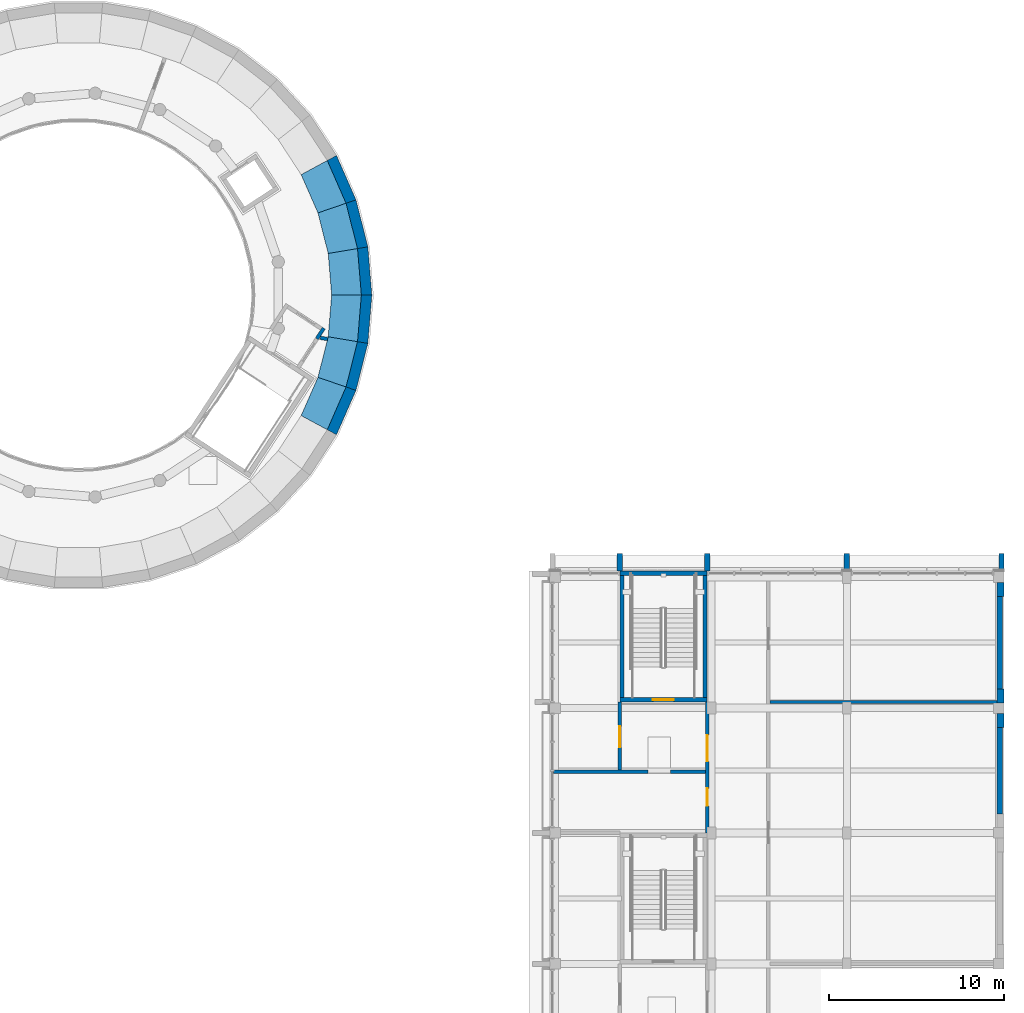
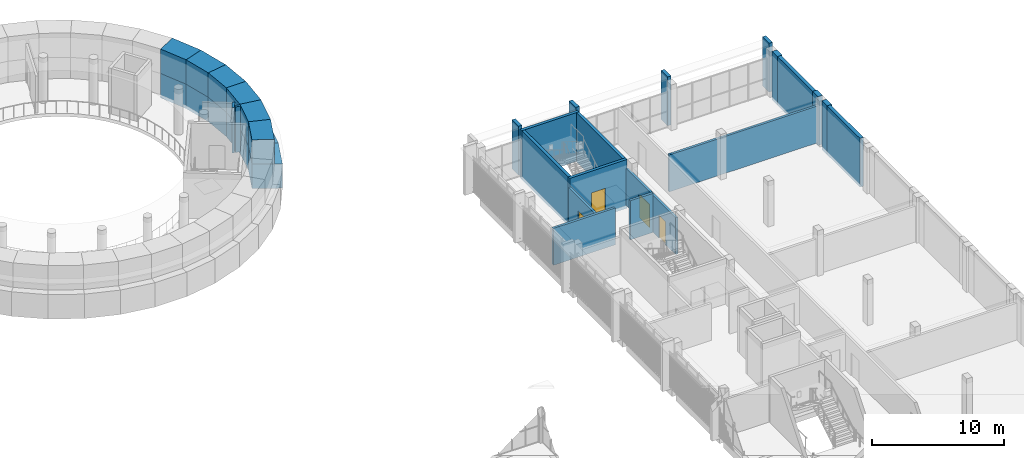
# One storey, part 54 of 92: 32 walls, 4 doors, 4 openings.
"""IFC4 building model written with IfcOpenShell, lengths in metres."""

from ifc_helpers import new_model, si_unit, direction, frame, frame_2d, origin, place, context, subcontext, project, spatial, polyline, rectangle, outline, extrude, material, layer, layer_set, type_object, element, fill, save


model = new_model("IFC4")

# Units and contexts
model_context = context("Model", 3, precision=1e-05, world=origin(), true_north=direction((0.0, 1.0)))
body_context = subcontext(model_context, "Body", "Model", "MODEL_VIEW")
ifc_project = project(units=[si_unit("LENGTHUNIT", "METRE"), si_unit("AREAUNIT", "SQUARE_METRE"), si_unit("VOLUMEUNIT", "CUBIC_METRE"), si_unit("PLANEANGLEUNIT", "RADIAN"), si_unit("MASSUNIT", "GRAM", prefix="KILO")], contexts=[model_context])

# Site, building, storey
site_placement = place(None, origin())
site = spatial("IfcSite", under=ifc_project, at=site_placement, CompositionType="ELEMENT")
building_placement = place(site_placement, origin())
building = spatial("IfcBuilding", under=site, at=building_placement, Name="Sun Court Science Centre", CompositionType="ELEMENT")
storey_placement = place(building_placement, frame((0.0, 0.0, 11.25)))
storey = spatial("IfcBuildingStorey", under=building, at=storey_placement, Name="L02", CompositionType="ELEMENT", Elevation=11.25)

# Walls
ifc_material_1 = material(Name="Concrete C30/37", Category="concrete")
ifc_layer_1 = layer(ifc_material_1, 0.300048828125)
ifc_layer_set_1 = layer_set([ifc_layer_1], Name="Concrete C30/37")
wall_type_1 = type_object("IfcWallType", Name="Facade fin RC 300", PredefinedType="SOLIDWALL", material=ifc_layer_set_1)
for number, where, z_axis, x_axis, name in (
    (1, (82.0, 81.0, 0.0), (0.0, 0.0, 1.0), (0.0, 1.0, 0.0), "Facade fin north 02 L02"),
    (2, (87.0, 81.0, 0.0), (0.0, 0.0, 1.0), (0.0, 1.0, 0.0), "Facade fin north 03 L02"),
    (3, (95.0, 81.0, 0.0), (0.0, 0.0, 1.0), (0.0, 1.0, 0.0), "Facade fin north 04 L02"),
    (4, (103.85009765625, 81.0, 0.0), (0.0, 0.0, 1.0), (0.0, 1.0, 0.0), "Facade fin north 05 L02"),
):
    element("IfcWall", number, at=place(storey_placement, frame(where, z_axis=z_axis, x_axis=x_axis)), inside=storey, type_object=wall_type_1, Name=name, PredefinedType="SOLIDWALL", context=body_context, shape_type="SweptSolid", body=[
        extrude(rectangle(XDim=1.0, YDim=0.300048828125, at=frame_2d((0.5, 0.0))), origin(), (0.0, 0.0, 1.0), 4.5),
    ])
ifc_material_2 = material(Name="Gypsum board")
ifc_layer_2 = layer(ifc_material_2, 0.199951171875)
ifc_layer_set_2 = layer_set([ifc_layer_2], Name="Gypsum board")
wall_type_2 = type_object("IfcWallType", Name="Partition 200 acoustic double stud", PredefinedType="PARTITIONING", material=ifc_layer_set_2)
wall_1_placement = place(storey_placement, frame((90.60009765625, 73.5, 0.0), z_axis=(0.0, 0.0, 1.0), x_axis=(1.0, 0.0, 0.0)))
element("IfcWall", 5, at=wall_1_placement, inside=storey, type_object=wall_type_2, Name="L02 partition 016", PredefinedType="PARTITIONING", context=body_context, shape_type="SweptSolid", body=[
    extrude(rectangle(XDim=12.997802734375, YDim=0.199951171875, at=frame_2d((6.4990234375, 0.0))), origin(), (0.0, 0.0, 1.0), 3.39990234375),
])
ifc_material_3 = material(Name="Concrete block", Category="concrete")
ifc_layer_3 = layer(ifc_material_3, 0.199951171875)
ifc_layer_set_3 = layer_set([ifc_layer_3], Name="Concrete block")
wall_type_3 = type_object("IfcWallType", Name="Partition 200 block EI60", PredefinedType="PARTITIONING", material=ifc_layer_set_3)
wall_2_placement = place(storey_placement, frame((78.199951171875, 69.5, 0.0), z_axis=(0.0, 0.0, 1.0), x_axis=(1.0, 0.0, 0.0)))
element("IfcWall", 6, at=wall_2_placement, inside=storey, type_object=wall_type_3, Name="L02 partition 014", PredefinedType="PARTITIONING", context=body_context, shape_type="SweptSolid", body=[
    extrude(rectangle(XDim=5.400146484375, YDim=0.199951171875, at=frame_2d((2.7001953125, 0.0))), origin(), (0.0, 0.0, 1.0), 3.39990234375),
])
wall_3_placement = place(storey_placement, frame((84.89990234375, 69.5, 0.0), z_axis=(0.0, 0.0, 1.0), x_axis=(1.0, 0.0, 0.0)))
element("IfcWall", 7, at=wall_3_placement, inside=storey, type_object=wall_type_3, Name="L02 partition 015", PredefinedType="PARTITIONING", context=body_context, shape_type="SweptSolid", body=[
    extrude(rectangle(XDim=2.0, YDim=0.199951171875, at=frame_2d((1.0, 0.0))), origin(), (0.0, 0.0, 1.0), 3.60009765625),
])
wall_4_placement = place(storey_placement, frame((64.651611328125, 94.301513671875, 0.0), z_axis=(0.0, 0.0, 1.0), x_axis=(0.54690452618, 0.837194982811, 0.0)))
element("IfcWall", 8, at=wall_4_placement, inside=storey, type_object=wall_type_3, Name="L02 partition 003", PredefinedType="PARTITIONING", context=body_context, shape_type="SweptSolid", body=[
    extrude(rectangle(XDim=0.724853515625, YDim=0.199951171875, at=frame_2d((0.3623046875, 0.0))), origin(), (0.0, 0.0, 1.0), 4.199951171875),
])

# Wall, opening, door
wall_5_placement = place(storey_placement, frame((82.0, 69.60009765625, 0.0), z_axis=(0.0, 0.0, 1.0), x_axis=(0.0, 1.0, 0.0)))
wall_5 = element("IfcWall", 9, at=wall_5_placement, inside=storey, type_object=wall_type_3, Name="L02 partition 025", PredefinedType="PARTITIONING", context=body_context, shape_type="SweptSolid", body=[
    extrude(rectangle(XDim=3.89794921875, YDim=0.199951171875, at=frame_2d((1.948974609375, 0.0))), origin(), (0.0, 0.0, 1.0), 3.39990234375),
])
opening_1_placement = place(wall_5_placement, frame((1.301025390625, 0.0, 0.0)))
opening_1 = element("IfcOpeningElement", 10, at=opening_1_placement, cuts=wall_5, Name="Opening D-L02-044", PredefinedType="OPENING", context=body_context, shape_type="SweptSolid", body=[
    extrude(rectangle(XDim=1.199951171875, YDim=2.10009765625, at=frame_2d((0.60009765625, 1.050048828125))), frame((0.0, 0.10986328125, 0.0), z_axis=(0.0, -1.0, 0.0), x_axis=(1.0, 0.0, 0.0)), (0.0, 0.0, 1.0), 0.219970703125),
])
ifc_material_4 = material(Name="Timber", Category="wood")
door_type_1 = type_object("IfcDoorType", Name="Door 1200x2100 single leaf", OperationType="NOTDEFINED", PredefinedType="DOOR", material=ifc_material_4)
door_1_placement = place(opening_1_placement, origin())
door_1 = element("IfcDoor", 11, at=door_1_placement, inside=storey, type_object=door_type_1, Name="Door D-L02-044", OperationType="SINGLE_SWING_RIGHT", OverallHeight=2.10009765625, OverallWidth=1.199951171875, PredefinedType="DOOR", context=body_context, shape_type="SweptSolid", body=[
    extrude(rectangle(XDim=1.199951171875, YDim=2.10009765625, at=frame_2d((0.60009765625, 1.050048828125))), frame((0.0, 0.02490234375, 0.0), z_axis=(0.0, -1.0, 0.0), x_axis=(1.0, 0.0, 0.0)), (0.0, 0.0, 1.0), 0.050048828125),
])
fill(opening_1, door_1)

# Wall
wall_6_placement = place(storey_placement, frame((65.26708984375, 94.280517578125, 0.0), z_axis=(0.0, 0.0, 1.0), x_axis=(-0.984783558818, 0.173785333909, 0.0)))
element("IfcWall", 12, at=wall_6_placement, inside=storey, type_object=wall_type_3, Name="L02 partition 007", PredefinedType="PARTITIONING", context=body_context, shape_type="SweptSolid", body=[
    extrude(rectangle(XDim=0.42578125, YDim=0.199951171875, at=frame_2d((0.212890625, 0.0))), origin(), (0.0, 0.0, 1.0), 4.199951171875),
])

# Wall, openings, doors
ifc_material_5 = material(Name="Concrete block", Category="concrete")
ifc_layer_4 = layer(ifc_material_5, 0.199951171875)
ifc_layer_set_4 = layer_set([ifc_layer_4], Name="Concrete block")
wall_type_4 = type_object("IfcWallType", Name="Partition 200 corridor block EI120", PredefinedType="PARTITIONING", material=ifc_layer_set_4)
wall_7_placement = place(storey_placement, frame((87.0, 66.001953125, 0.0), z_axis=(0.0, 0.0, 1.0), x_axis=(0.0, 1.0, 0.0)))
wall_7 = element("IfcWall", 13, at=wall_7_placement, inside=storey, type_object=wall_type_4, Name="L02 partition 022", PredefinedType="PARTITIONING", context=body_context, shape_type="SweptSolid", body=[
    extrude(rectangle(XDim=7.49609375, YDim=0.199951171875, at=frame_2d((3.748046875, 0.0))), origin(), (0.0, 0.0, 1.0), 3.39990234375),
])
opening_2_placement = place(wall_7_placement, frame((4.097900390625, 0.0, 0.0)))
opening_2 = element("IfcOpeningElement", 14, at=opening_2_placement, cuts=wall_7, Name="Opening D-L02-036", PredefinedType="OPENING", context=body_context, shape_type="SweptSolid", body=[
    extrude(rectangle(XDim=1.5, YDim=2.10009765625, at=frame_2d((0.75, 1.050048828125))), frame((0.0, 0.10986328125, 0.0), z_axis=(0.0, -1.0, 0.0), x_axis=(1.0, 0.0, 0.0)), (0.0, 0.0, 1.0), 0.219970703125),
])
opening_3_placement = place(wall_7_placement, frame((1.548095703125, 0.0, 0.0)))
opening_3 = element("IfcOpeningElement", 15, at=opening_3_placement, cuts=wall_7, Name="Opening D-L02-043", PredefinedType="OPENING", context=body_context, shape_type="SweptSolid", body=[
    extrude(rectangle(XDim=1.0, YDim=2.10009765625, at=frame_2d((0.5, 1.050048828125))), frame((0.0, 0.10986328125, 0.0), z_axis=(0.0, -1.0, 0.0), x_axis=(1.0, 0.0, 0.0)), (0.0, 0.0, 1.0), 0.219970703125),
])
ifc_material_6 = material(Name="Steel", Category="steel")
door_type_2 = type_object("IfcDoorType", Name="Door 1000x2100 single leaf FD30S", OperationType="NOTDEFINED", PredefinedType="DOOR", material=ifc_material_6)
door_2_placement = place(opening_3_placement, origin())
door_2 = element("IfcDoor", 16, at=door_2_placement, inside=storey, type_object=door_type_2, Name="Door D-L02-043", OperationType="SINGLE_SWING_RIGHT", OverallHeight=2.10009765625, OverallWidth=1.0, PredefinedType="DOOR", context=body_context, shape_type="SweptSolid", body=[
    extrude(rectangle(XDim=1.0, YDim=2.10009765625, at=frame_2d((0.5, 1.050048828125))), frame((0.0, 0.02490234375, 0.0), z_axis=(0.0, -1.0, 0.0), x_axis=(1.0, 0.0, 0.0)), (0.0, 0.0, 1.0), 0.050048828125),
])
fill(opening_3, door_2)
ifc_material_7 = material(Name="Steel", Category="steel")
door_type_3 = type_object("IfcDoorType", Name="Door 1500x2100 double leaf FD60", OperationType="DOUBLE_DOOR_SINGLE_SWING", PredefinedType="DOOR", material=ifc_material_7)
door_3_placement = place(opening_2_placement, origin())
door_3 = element("IfcDoor", 17, at=door_3_placement, inside=storey, type_object=door_type_3, Name="Door D-L02-036", OperationType="DOUBLE_DOOR_SINGLE_SWING", OverallHeight=2.10009765625, OverallWidth=1.5, PredefinedType="DOOR", context=body_context, shape_type="SweptSolid", body=[
    extrude(rectangle(XDim=1.5, YDim=2.10009765625, at=frame_2d((0.75, 1.050048828125))), frame((0.0, 0.02490234375, 0.0), z_axis=(0.0, -1.0, 0.0), x_axis=(1.0, 0.0, 0.0)), (0.0, 0.0, 1.0), 0.050048828125),
])
fill(opening_2, door_3)

# Walls
ifc_material_8 = material(Name="Concrete C30/37", Category="concrete")
ifc_layer_5 = layer(ifc_material_8, 1.696044921875)
ifc_layer_set_5 = layer_set([ifc_layer_5], Name="Concrete C30/37")
wall_type_5 = type_object("IfcWallType", Name="RC drum wall exterior 1696", PredefinedType="SHEAR", material=ifc_layer_set_5)
wall_8_placement = place(storey_placement, frame((66.156982421875, 99.25830078125, 1.949951171875), z_axis=(0.0, 0.0, 1.0), x_axis=(-0.245454430511, 0.969408130017, 0.0)))
element("IfcWall", 18, at=wall_8_placement, inside=storey, type_object=wall_type_5, Name="Drum wall L02 course 2 segment 1", PredefinedType="SHEAR", context=body_context, shape_type="SweptSolid", body=[
    extrude(outline(polyline([(-0.000244140625, -0.847900390625), (2.675537109375, -0.847900390625), (2.534912109375, 0.84814453125), (0.140380859375, 0.847900390625), (-0.000244140625, -0.847900390625)])), origin(), (0.0, 0.0, 1.0), 2.25),
])
for number, where, z_axis, x_axis, name in (
    (19, (65.545654296875, 101.719482421875, 1.949951171875), (0.0, 0.0, 1.0), (-0.401680291361, 0.915779964583, 0.0), "Drum wall L02 course 2 segment 2"),
    (20, (64.470947265625, 89.43017578125, 1.949951171875), (0.0, 0.0, 1.0), (0.401680291361, 0.915779964583, 0.0), "Drum wall L02 course 2 segment 35"),
):
    element("IfcWall", number, at=place(storey_placement, frame(where, z_axis=z_axis, x_axis=x_axis)), inside=storey, type_object=wall_type_5, Name=name, PredefinedType="SHEAR", context=body_context, shape_type="SweptSolid", body=[
        extrude(outline(polyline([(0.0, -0.847900390625), (2.675537109375, -0.847900390625), (2.534912109375, 0.847900390625), (0.140625, 0.847900390625), (0.0, -0.847900390625)])), origin(), (0.0, 0.0, 1.0), 2.25),
    ])
wall_9_placement = place(storey_placement, frame((65.500244140625, 91.748046875, 1.949951171875), z_axis=(0.0, 0.0, 1.0), x_axis=(0.245454430511, 0.969408130017, 0.0)))
element("IfcWall", 21, at=wall_9_placement, inside=storey, type_object=wall_type_5, Name="Drum wall L02 course 2 segment 36", PredefinedType="SHEAR", context=body_context, shape_type="SweptSolid", body=[
    extrude(outline(polyline([(0.0, -0.847900390625), (2.675537109375, -0.847900390625), (2.53515625, 0.847900390625), (0.140380859375, 0.847900390625), (0.0, -0.847900390625)])), origin(), (0.0, 0.0, 1.0), 2.25),
])
wall_10_placement = place(storey_placement, frame((66.134033203125, 94.20361328125, 1.949951171875), z_axis=(0.0, 0.0, 1.0), x_axis=(0.082577286265, 0.996584663635, 0.0)))
element("IfcWall", 22, at=wall_10_placement, inside=storey, type_object=wall_type_5, Name="Drum wall L02 course 2 segment 37", PredefinedType="SHEAR", context=body_context, shape_type="SweptSolid", body=[
    extrude(outline(polyline([(0.0, -0.847900390625), (2.675537109375, -0.847900390625), (2.53515625, 0.847900390625), (0.140625, 0.847900390625), (0.0, -0.847900390625)])), origin(), (0.0, 0.0, 1.0), 2.25),
])
wall_11_placement = place(storey_placement, frame((66.35498046875, 96.72998046875, 1.949951171875), z_axis=(0.0, 0.0, 1.0), x_axis=(-0.082577286265, 0.996584663635, 0.0)))
element("IfcWall", 23, at=wall_11_placement, inside=storey, type_object=wall_type_5, Name="Drum wall L02 course 2 segment 38", PredefinedType="SHEAR", context=body_context, shape_type="SweptSolid", body=[
    extrude(outline(polyline([(0.0, -0.847900390625), (2.675537109375, -0.847900390625), (2.534912109375, 0.847900390625), (0.140625, 0.847900390625), (0.0, -0.847900390625)])), origin(), (0.0, 0.0, 1.0), 2.25),
])
ifc_material_9 = material(Name="Concrete C30/37", Category="concrete")
ifc_layer_6 = layer(ifc_material_9, 2.2939453125)
ifc_layer_set_6 = layer_set([ifc_layer_6], Name="Concrete C30/37")
wall_type_6 = type_object("IfcWallType", Name="RC drum wall exterior 2294", PredefinedType="SHEAR", material=ifc_layer_set_6)
wall_12_placement = place(storey_placement, frame((66.458984375, 99.28369140625, -0.300048828125), z_axis=(0.0, 0.0, 1.0), x_axis=(-0.24549513697, 0.96939782222, 0.0)))
element("IfcWall", 24, at=wall_12_placement, inside=storey, type_object=wall_type_6, Name="Drum wall L02 course 1 segment 1", PredefinedType="SHEAR", context=body_context, shape_type="SweptSolid", body=[
    extrude(outline(polyline([(0.0, -1.14697265625), (2.774658203125, -1.14697265625), (2.58447265625, 1.14697265625), (0.18994140625, 1.14697265625), (0.0, -1.14697265625)])), origin(), (0.0, 0.0, 1.0), 2.25),
])
wall_13_placement = place(storey_placement, frame((65.83935546875, 101.794189453125, -0.300048828125), z_axis=(0.0, 0.0, 1.0), x_axis=(-0.401667968165, 0.915785369696, 0.0)))
element("IfcWall", 25, at=wall_13_placement, inside=storey, type_object=wall_type_6, Name="Drum wall L02 course 1 segment 2", PredefinedType="SHEAR", context=body_context, shape_type="SweptSolid", body=[
    extrude(outline(polyline([(0.0, -1.14697265625), (2.774658203125, -1.14697265625), (2.58447265625, 1.146728515625), (0.190185546875, 1.14697265625), (0.0, -1.14697265625)])), origin(), (0.0, 0.0, 1.0), 2.25),
])
wall_14_placement = place(storey_placement, frame((64.724853515625, 89.264892578125, -0.300048828125), z_axis=(0.0, 0.0, 1.0), x_axis=(0.401700336395, 0.91577117215, 0.0)))
element("IfcWall", 26, at=wall_14_placement, inside=storey, type_object=wall_type_6, Name="Drum wall L02 course 1 segment 35", PredefinedType="SHEAR", context=body_context, shape_type="SweptSolid", body=[
    extrude(outline(polyline([(0.0, -1.14697265625), (2.7744140625, -1.14697265625), (2.584228515625, 1.14697265625), (0.190185546875, 1.146728515625), (0.0, -1.14697265625)])), origin(), (0.0, 0.0, 1.0), 2.25),
])
wall_15_placement = place(storey_placement, frame((65.77783203125, 91.626708984375, -0.300048828125), z_axis=(0.0, 0.0, 1.0), x_axis=(0.24549513697, 0.96939782222, 0.0)))
element("IfcWall", 27, at=wall_15_placement, inside=storey, type_object=wall_type_6, Name="Drum wall L02 course 1 segment 36", PredefinedType="SHEAR", context=body_context, shape_type="SweptSolid", body=[
    extrude(outline(polyline([(-0.000244140625, -1.14697265625), (2.774658203125, -1.14697265625), (2.584716796875, 1.14697265625), (0.18994140625, 1.14697265625), (-0.000244140625, -1.14697265625)])), origin(), (0.0, 0.0, 1.0), 2.25),
])
wall_16_placement = place(storey_placement, frame((66.427978515625, 94.129638671875, -0.300048828125), z_axis=(0.0, 0.0, 1.0), x_axis=(0.082535726981, 0.996588106377, 0.0)))
element("IfcWall", 28, at=wall_16_placement, inside=storey, type_object=wall_type_6, Name="Drum wall L02 course 1 segment 37", PredefinedType="SHEAR", context=body_context, shape_type="SweptSolid", body=[
    extrude(outline(polyline([(0.0, -1.146728515625), (2.774658203125, -1.14697265625), (2.58447265625, 1.14697265625), (0.190185546875, 1.14697265625), (0.0, -1.146728515625)])), origin(), (0.0, 0.0, 1.0), 2.25),
])
wall_17_placement = place(storey_placement, frame((66.656982421875, 96.705322265625, -0.300048828125), z_axis=(0.0, 0.0, 1.0), x_axis=(-0.082535726981, 0.996588106377, 0.0)))
element("IfcWall", 29, at=wall_17_placement, inside=storey, type_object=wall_type_6, Name="Drum wall L02 course 1 segment 38", PredefinedType="SHEAR", context=body_context, shape_type="SweptSolid", body=[
    extrude(outline(polyline([(0.0, -1.14697265625), (2.774658203125, -1.146728515625), (2.58447265625, 1.14697265625), (0.18994140625, 1.14697265625), (0.0, -1.14697265625)])), origin(), (0.0, 0.0, 1.0), 2.25),
])
ifc_material_10 = material(Name="Concrete C30/37", Category="concrete")
ifc_layer_7 = layer(ifc_material_10, 0.39990234375)
ifc_layer_set_7 = layer_set([ifc_layer_7], Name="Concrete C30/37")
wall_type_7 = type_object("IfcWallType", Name="RC party wall exterior 400", PredefinedType="SOLIDWALL", material=ifc_layer_set_7)
for number, where, z_axis, x_axis, name in (
    (30, (103.800048828125, 72.050048828125, -0.300048828125), (0.0, 0.0, 1.0), (0.0, 1.0, 0.0), "East party wall L02"),
    (31, (103.800048828125, 73.449951171875, -0.300048828125), (0.0, 0.0, 1.0), (0.0, 1.0, 0.0), "East party wall L02"),
    (32, (103.800048828125, 79.550048828125, -0.300048828125), (0.0, 0.0, 1.0), (0.0, 1.0, 0.0), "East party wall L02"),
):
    element("IfcWall", number, at=place(storey_placement, frame(where, z_axis=z_axis, x_axis=x_axis)), inside=storey, type_object=wall_type_7, Name=name, PredefinedType="SOLIDWALL", context=body_context, shape_type="SweptSolid", body=[
        extrude(rectangle(XDim=0.800048828125, YDim=0.39990234375, at=frame_2d((0.39990234375, 0.0))), origin(), (0.0, 0.0, 1.0), 4.5),
    ])
ifc_material_11 = material(Name="Concrete C30/37", Category="concrete")
ifc_layer_8 = layer(ifc_material_11, 0.300048828125)
ifc_layer_set_8 = layer_set([ifc_layer_8], Name="Concrete C30/37")
wall_type_8 = type_object("IfcWallType", Name="RC party wall panel exterior 300", PredefinedType="SOLIDWALL", material=ifc_layer_set_8)
wall_18_placement = place(storey_placement, frame((103.75, 67.10009765625, -0.300048828125), z_axis=(0.0, 0.0, 1.0), x_axis=(0.0, 1.0, 0.0)))
element("IfcWall", 33, at=wall_18_placement, inside=storey, type_object=wall_type_8, Name="East party wall L02 panel", PredefinedType="SOLIDWALL", context=body_context, shape_type="SweptSolid", body=[
    extrude(rectangle(XDim=4.949951171875, YDim=0.300048828125, at=frame_2d((2.47509765625, 0.0))), origin(), (0.0, 0.0, 1.0), 4.5),
])
wall_19_placement = place(storey_placement, frame((103.75, 74.25, -0.300048828125), z_axis=(0.0, 0.0, 1.0), x_axis=(0.0, 1.0, 0.0)))
element("IfcWall", 34, at=wall_19_placement, inside=storey, type_object=wall_type_8, Name="East party wall L02 panel", PredefinedType="SOLIDWALL", context=body_context, shape_type="SweptSolid", body=[
    extrude(rectangle(XDim=5.300048828125, YDim=0.300048828125, at=frame_2d((2.64990234375, 0.0))), origin(), (0.0, 0.0, 1.0), 4.5),
])

# Wall, opening, door
ifc_material_12 = material(Name="Concrete C30/37", Category="concrete")
ifc_layer_9 = layer(ifc_material_12, 0.25)
ifc_layer_set_9 = layer_set([ifc_layer_9], Name="Concrete C30/37")
wall_type_9 = type_object("IfcWallType", Name="RC stair core wall 250", PredefinedType="SHEAR", material=ifc_layer_set_9)
wall_20_placement = place(storey_placement, frame((82.0, 73.625, -0.300048828125), z_axis=(0.0, 0.0, 1.0), x_axis=(1.0, 0.0, 0.0)))
wall_20 = element("IfcWall", 35, at=wall_20_placement, inside=storey, type_object=wall_type_9, Name="Stair core SL4 wall S, L02", PredefinedType="SHEAR", context=body_context, shape_type="SweptSolid", body=[
    extrude(rectangle(XDim=5.0, YDim=0.25, at=frame_2d((2.5, 0.0))), origin(), (0.0, 0.0, 1.0), 4.5),
])
opening_4_placement = place(wall_20_placement, frame((1.89990234375, 0.0, 0.300048828125)))
opening_4 = element("IfcOpeningElement", 36, at=opening_4_placement, cuts=wall_20, Name="Opening D-L02-035", PredefinedType="OPENING", context=body_context, shape_type="SweptSolid", body=[
    extrude(rectangle(XDim=1.199951171875, YDim=2.199951171875, at=frame_2d((0.60009765625, 1.10009765625))), frame((0.0, 0.135009765625, 0.0), z_axis=(0.0, -1.0, 0.0), x_axis=(1.0, 0.0, 0.0)), (0.0, 0.0, 1.0), 0.27001953125),
])
ifc_material_13 = material(Name="Steel", Category="steel")
door_type_4 = type_object("IfcDoorType", Name="Door 1200x2200 single leaf FD60", OperationType="NOTDEFINED", PredefinedType="DOOR", material=ifc_material_13)
door_4_placement = place(opening_4_placement, origin())
door_4 = element("IfcDoor", 37, at=door_4_placement, inside=storey, type_object=door_type_4, Name="Door D-L02-035", OperationType="SINGLE_SWING_LEFT", OverallHeight=2.199951171875, OverallWidth=1.199951171875, PredefinedType="DOOR", context=body_context, shape_type="SweptSolid", body=[
    extrude(rectangle(XDim=1.199951171875, YDim=2.199951171875, at=frame_2d((0.60009765625, 1.10009765625))), frame((0.0, 0.02490234375, 0.0), z_axis=(0.0, -1.0, 0.0), x_axis=(1.0, 0.0, 0.0)), (0.0, 0.0, 1.0), 0.050048828125),
])
fill(opening_4, door_4)

# Walls
wall_21_placement = place(storey_placement, frame((86.875, 73.75, -0.300048828125), z_axis=(0.0, 0.0, 1.0), x_axis=(0.0, 1.0, 0.0)))
element("IfcWall", 38, at=wall_21_placement, inside=storey, type_object=wall_type_9, Name="Stair core SL4 wall E, L02", PredefinedType="SHEAR", context=body_context, shape_type="SweptSolid", body=[
    extrude(rectangle(XDim=7.0, YDim=0.25, at=frame_2d((3.5, 0.0))), origin(), (0.0, 0.0, 1.0), 4.5),
])
wall_22_placement = place(storey_placement, frame((82.0, 80.875, -0.300048828125), z_axis=(0.0, 0.0, 1.0), x_axis=(1.0, 0.0, 0.0)))
element("IfcWall", 39, at=wall_22_placement, inside=storey, type_object=wall_type_9, Name="Stair core SL4 wall N, L02", PredefinedType="SHEAR", context=body_context, shape_type="SweptSolid", body=[
    extrude(rectangle(XDim=5.0, YDim=0.25, at=frame_2d((2.5, 0.0))), origin(), (0.0, 0.0, 1.0), 4.5),
])
wall_23_placement = place(storey_placement, frame((82.125, 73.75, -0.300048828125), z_axis=(0.0, 0.0, 1.0), x_axis=(0.0, 1.0, 0.0)))
element("IfcWall", 40, at=wall_23_placement, inside=storey, type_object=wall_type_9, Name="Stair core SL4 wall W, L02", PredefinedType="SHEAR", context=body_context, shape_type="SweptSolid", body=[
    extrude(rectangle(XDim=7.0, YDim=0.25, at=frame_2d((3.5, 0.0))), origin(), (0.0, 0.0, 1.0), 4.5),
])

save(model, "model.ifc")
